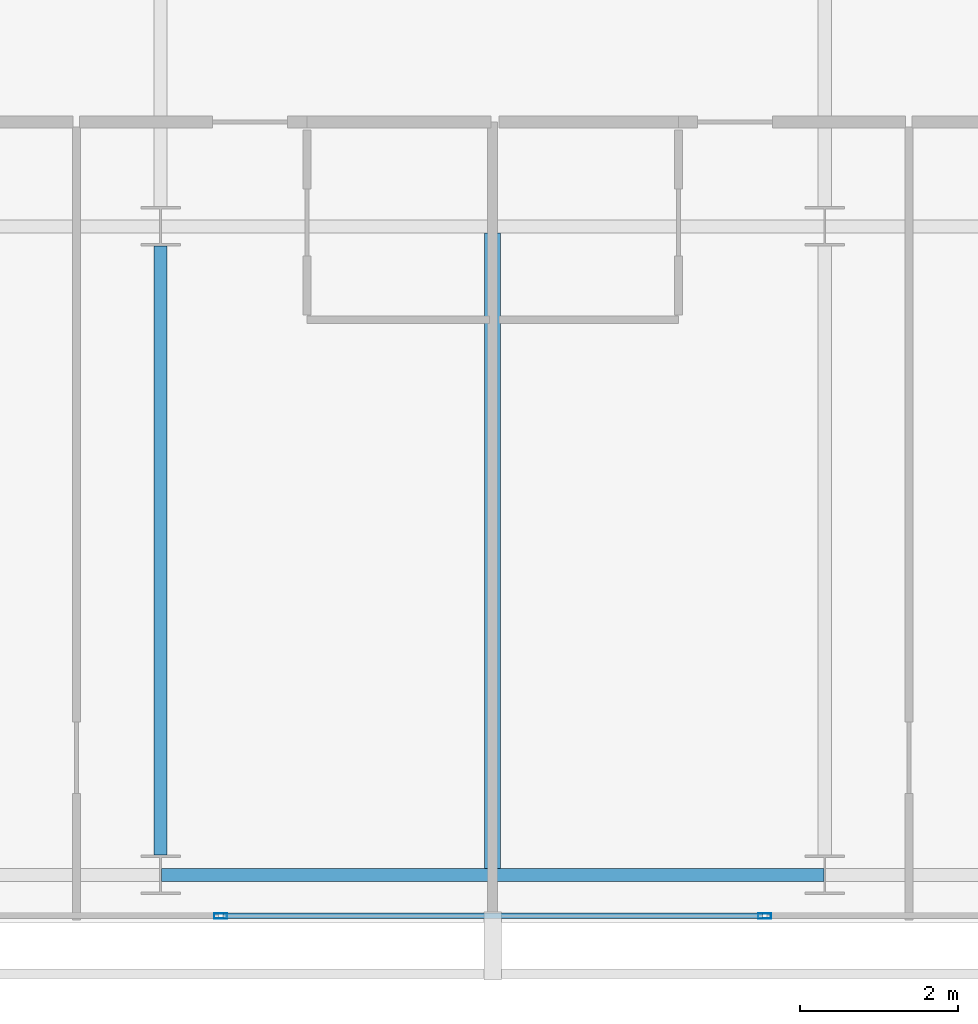
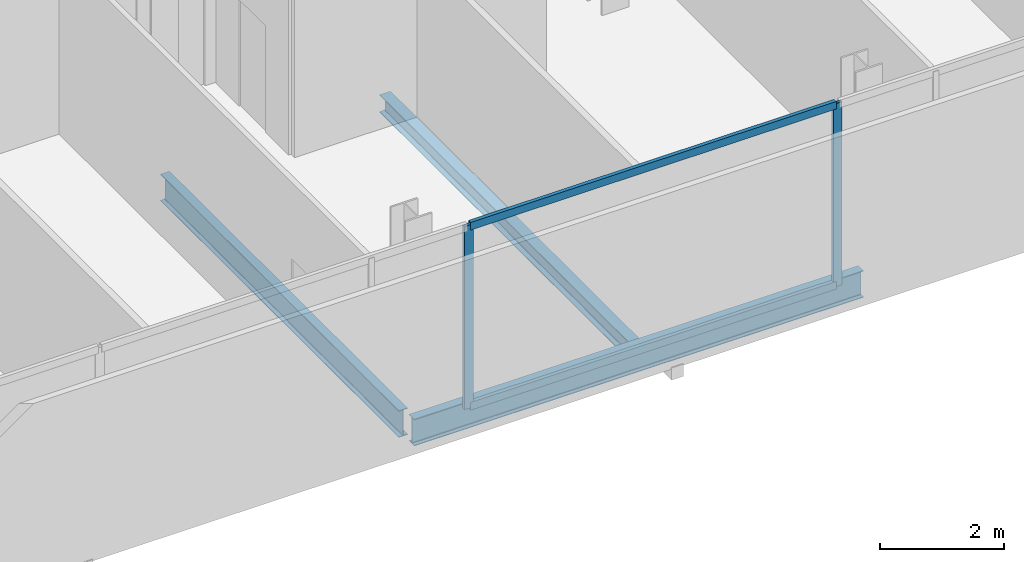
# One storey, part 6 of 25: 4 members, 3 beams, 1 element without a shape of its own.
"""IFC4 building model written with IfcOpenShell, lengths in metres."""

from ifc_helpers import new_model, si_unit, direction, frame, origin, origin_2d, place, context, subcontext, project, spatial, hollow_rectangle, i_section, extrude, material, layer, layer_set, material_profile, profile_set, type_object, element, aggregate, save


model = new_model("IFC4")

# Units and contexts
model_context = context("Model", 3, precision=1e-05, world=origin(), true_north=direction((0.0, 1.0)))
body_context = subcontext(model_context, "Body", "Model", "MODEL_VIEW")
ifc_project = project(units=[si_unit("LENGTHUNIT", "METRE"), si_unit("AREAUNIT", "SQUARE_METRE"), si_unit("VOLUMEUNIT", "CUBIC_METRE"), si_unit("PLANEANGLEUNIT", "RADIAN"), si_unit("MASSUNIT", "GRAM", prefix="KILO")], contexts=[model_context])

# Site, building, storey
site_placement = place(None, origin())
site = spatial("IfcSite", under=ifc_project, at=site_placement, CompositionType="ELEMENT")
building_placement = place(site_placement, origin())
building = spatial("IfcBuilding", under=site, at=building_placement, Name="Maruvema Waterfront Hotel and Observation Tower", CompositionType="ELEMENT")
storey_placement = place(building_placement, frame((0.0, 0.0, 308.699951171875)))
storey = spatial("IfcBuildingStorey", under=building, at=storey_placement, Name="L76", CompositionType="ELEMENT", Elevation=308.699951171875)

# Curtain wall, members
ifc_material_1 = material(Name="Anodised bronze aluminium and solar-control low-E IGU", Category="aluminium")
ifc_layer = layer(ifc_material_1, 0.159912109375, Name="Zone 3 Champagne Inner Thermal Curtain Wall System CW-04")
ifc_layer_set = layer_set([ifc_layer], Name="Anodised bronze aluminium and solar-control low-E IGU")
curtain_wall_type = type_object("IfcCurtainWallType", Name="Zone 3 Champagne Inner Thermal Curtain Wall System CW-04", PredefinedType="USERDEFINED", material=ifc_layer_set)
curtain_wall_placement = place(storey_placement, origin())
curtain_wall = element("IfcCurtainWall", 1, at=curtain_wall_placement, inside=storey, type_object=curtain_wall_type, Name="L76 Curtain Wall CW-L76-S", ObjectType="UNITISED CURTAIN WALL", PredefinedType="USERDEFINED")
ifc_material_2 = material(Name="Anodised architectural bronze aluminium", Category="aluminium")
ifc_material_profile_1 = material_profile(ifc_material_2, hollow_rectangle(XDim=0.070068359375, YDim=0.14990234375, WallThickness=0.00390625, at=origin_2d()), Name="ALU-T70x150")
ifc_profile_set_1 = profile_set([ifc_material_profile_1], Name="Anodised architectural bronze aluminium")
member_type_1 = type_object("IfcMemberType", Name="Curtain Wall Horizontal Transom ALU-T70x150", PredefinedType="USERDEFINED", material=ifc_profile_set_1)
member_1_placement = place(storey_placement, frame((34.389892578125, 9.280029296875, 0.030029296875), z_axis=(1.0, 0.0, 0.0), x_axis=(0.0, 1.0, 0.0)))
member_1 = element("IfcMember", 2, at=member_1_placement, type_object=member_type_1, Name="CW-04 transom 3.1", ObjectType="TRANSOM", PredefinedType="USERDEFINED", context=body_context, shape_type="SweptSolid", body=[
    extrude(hollow_rectangle(XDim=0.070068359375, YDim=0.14990234375, WallThickness=0.00390625, at=origin_2d()), origin(), (0.0, 0.0, 1.0), 6.820068359375),
])
member_2_placement = place(storey_placement, frame((34.389892578125, 9.280029296875, 3.580078125), z_axis=(1.0, 0.0, 0.0), x_axis=(0.0, 1.0, 0.0)))
member_2 = element("IfcMember", 3, at=member_2_placement, type_object=member_type_1, Name="CW-04 transom 3.2", ObjectType="TRANSOM", PredefinedType="USERDEFINED", context=body_context, shape_type="SweptSolid", body=[
    extrude(hollow_rectangle(XDim=0.070068359375, YDim=0.14990234375, WallThickness=0.00390625, at=origin_2d()), origin(), (0.0, 0.0, 1.0), 6.820068359375),
])
ifc_material_3 = material(Name="Anodised architectural bronze aluminium", Category="aluminium")
ifc_material_profile_2 = material_profile(ifc_material_3, hollow_rectangle(XDim=0.06494140625, YDim=0.1650390625, WallThickness=0.00390625, at=origin_2d()), Name="ALU-M65x165")
ifc_profile_set_2 = profile_set([ifc_material_profile_2], Name="Anodised architectural bronze aluminium")
member_type_2 = type_object("IfcMemberType", Name="Curtain Wall Primary Mullion ALU-M65x165", PredefinedType="MULLION", material=ifc_profile_set_2)
member_3_placement = place(storey_placement, frame((34.360107421875, 9.280029296875, 0.0), z_axis=(0.0, 0.0, 1.0), x_axis=(0.0, 1.0, 0.0)))
member_3 = element("IfcMember", 4, at=member_3_placement, type_object=member_type_2, Name="CW-04 mullion 3", PredefinedType="MULLION", context=body_context, shape_type="SweptSolid", body=[
    extrude(hollow_rectangle(XDim=0.06494140625, YDim=0.1650390625, WallThickness=0.00390625, at=origin_2d()), origin(), (0.0, 0.0, 1.0), 3.610107421875),
])
member_4_placement = place(storey_placement, frame((41.239990234375, 9.280029296875, 0.0), z_axis=(0.0, 0.0, 1.0), x_axis=(0.0, 1.0, 0.0)))
member_4 = element("IfcMember", 5, at=member_4_placement, type_object=member_type_2, Name="CW-04 mullion 4", PredefinedType="MULLION", context=body_context, shape_type="SweptSolid", body=[
    extrude(hollow_rectangle(XDim=0.06494140625, YDim=0.1650390625, WallThickness=0.00390625, at=origin_2d()), origin(), (0.0, 0.0, 1.0), 3.610107421875),
])
aggregate(curtain_wall, [member_3, member_4, member_1, member_2])

# Beams
ifc_material_4 = material(Name="Steel ASTM A572 Grade 50", Category="steel")
ifc_material_profile_3 = material_profile(ifc_material_4, i_section(OverallWidth=0.166015625, OverallDepth=0.529052734375, WebThickness=0.009765625, FlangeThickness=0.013671875, FilletRadius=0.014892578125, at=origin_2d()), Name="W530x74.0")
ifc_profile_set_3 = profile_set([ifc_material_profile_3], Name="Steel ASTM A572 Grade 50")
beam_type_1 = type_object("IfcBeamType", Name="Primary Floor Girder W530x74.0", PredefinedType="BEAM", material=ifc_profile_set_3)
beam_1_placement = place(storey_placement, frame((33.611083984375, 9.800048828125, -0.50439453125), z_axis=(1.0, 0.0, 0.0), x_axis=(0.0, 1.0, 0.0)))
element("IfcBeam", 6, at=beam_1_placement, inside=storey, type_object=beam_type_1, Name="L76 Floor Girder EW-02", PredefinedType="BEAM", context=body_context, shape_type="SweptSolid", body=[
    extrude(i_section(OverallWidth=0.166015625, OverallDepth=0.529052734375, WebThickness=0.009765625, FlangeThickness=0.013671875, FilletRadius=0.014892578125, at=origin_2d()), origin(), (0.0, 0.0, 1.0), 8.3779296875),
])
beam_2_placement = place(storey_placement, frame((33.60009765625, 10.050048828125, -0.50439453125), z_axis=(0.0, 1.0, 0.0), x_axis=(-1.0, 0.0, 0.0)))
element("IfcBeam", 7, at=beam_2_placement, inside=storey, type_object=beam_type_1, Name="L76 Floor Girder NS-08", PredefinedType="BEAM", context=body_context, shape_type="SweptSolid", body=[
    extrude(i_section(OverallWidth=0.166015625, OverallDepth=0.529052734375, WebThickness=0.009765625, FlangeThickness=0.013671875, FilletRadius=0.014892578125, at=origin_2d()), origin(), (0.0, 0.0, 1.0), 7.699951171875),
])
ifc_material_5 = material(Name="Steel ASTM A572 Grade 50", Category="steel")
ifc_material_profile_4 = material_profile(ifc_material_5, i_section(OverallWidth=0.202880859375, OverallDepth=0.346923828125, WebThickness=0.0078125, FlangeThickness=0.013427734375, FilletRadius=0.014892578125, at=origin_2d()), Name="W360x64.0")
ifc_profile_set_4 = profile_set([ifc_material_profile_4], Name="Steel ASTM A572 Grade 50")
beam_type_2 = type_object("IfcBeamType", Name="Secondary Floor Joist W360x64.0", PredefinedType="JOIST", material=ifc_profile_set_4)
beam_3_placement = place(storey_placement, frame((37.800048828125, 9.883056640625, -0.413330078125), z_axis=(0.0, 1.0, 0.0), x_axis=(-1.0, 0.0, 0.0)))
element("IfcBeam", 8, at=beam_3_placement, inside=storey, type_object=beam_type_2, Name="L76 Secondary Floor Joist JS-05", PredefinedType="JOIST", context=body_context, shape_type="SweptSolid", body=[
    extrude(i_section(OverallWidth=0.202880859375, OverallDepth=0.346923828125, WebThickness=0.0078125, FlangeThickness=0.013427734375, FilletRadius=0.014892578125, at=origin_2d()), origin(), (0.0, 0.0, 1.0), 8.033935546875),
])

save(model, "model.ifc")
